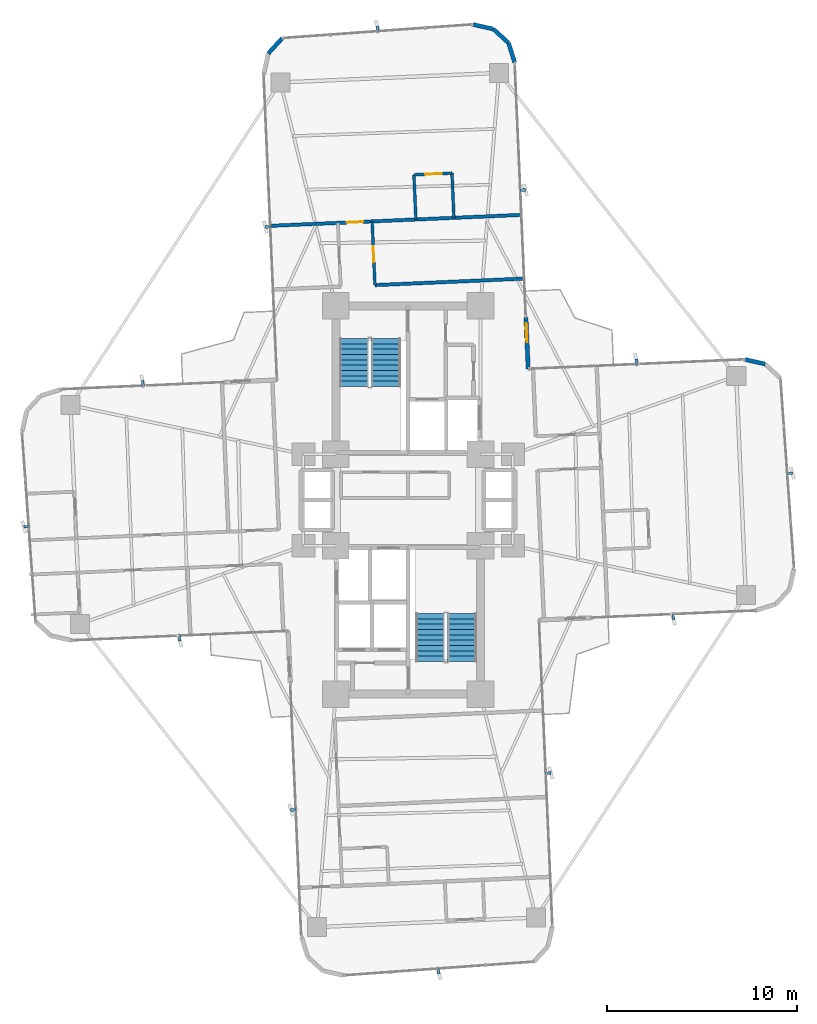
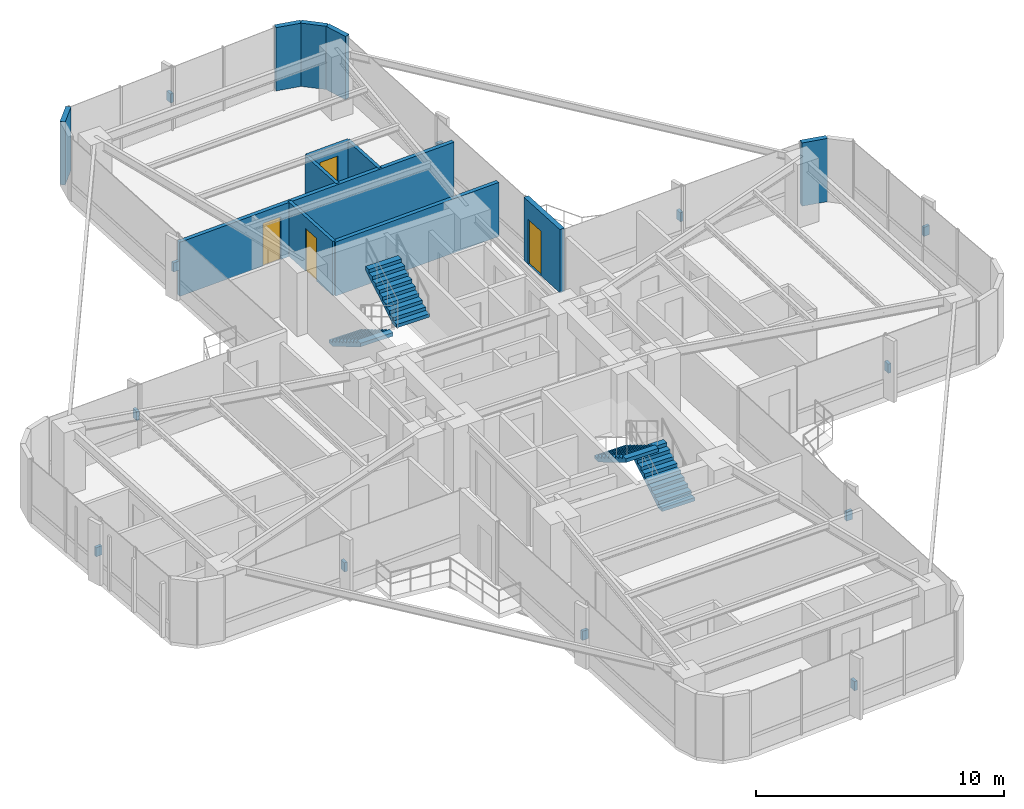
# One storey, part 25 of 26: 12 discrete accessories, 12 walls, 4 doors, 4 stair flights, 4 openings, 2 elements without a shape of their own.
"""IFC4 building model written with IfcOpenShell, lengths in metres."""

from ifc_helpers import new_model, si_unit, direction, frame, frame_2d, origin, origin_2d, place, context, subcontext, project, spatial, polyline, rectangle, outline, extrude, source, transform, mapped, material, layer, layer_set, type_object, element, fill, aggregate, save


model = new_model("IFC4")

# Units and contexts
model_context = context("Model", 3, precision=1e-05, world=origin(), true_north=direction((0.0, 1.0)))
body_context = subcontext(model_context, "Body", "Model", "MODEL_VIEW")
ifc_project = project(units=[si_unit("LENGTHUNIT", "METRE"), si_unit("AREAUNIT", "SQUARE_METRE"), si_unit("VOLUMEUNIT", "CUBIC_METRE"), si_unit("PLANEANGLEUNIT", "RADIAN"), si_unit("MASSUNIT", "GRAM", prefix="KILO")], contexts=[model_context])

# Site, building, storey
site_placement = place(None, origin())
site = spatial("IfcSite", under=ifc_project, at=site_placement, CompositionType="ELEMENT")
building_placement = place(site_placement, origin())
building = spatial("IfcBuilding", under=site, at=building_placement, Name="Sahyath Konkavel Grand Hotel", CompositionType="ELEMENT")
storey_placement = place(building_placement, frame((0.0, 0.0, 86.85009765625)))
storey = spatial("IfcBuildingStorey", under=building, at=storey_placement, Name="L23", CompositionType="ELEMENT", Elevation=86.85009765625)

# Wall
ifc_material_1 = material(Name="Warm Buff Sandstone Insulated Concrete C40/50", Category="masonry")
ifc_layer_1 = layer(ifc_material_1, 0.219970703125)
ifc_layer_set_1 = layer_set([ifc_layer_1], Name="Warm Buff Sandstone Insulated Concrete C40/50")
wall_type_1 = type_object("IfcWallType", Name="WLL-BALC-THRESH", PredefinedType="STANDARD", material=ifc_layer_set_1)
wall_1_placement = place(storey_placement, frame((18.75634765625, 7.1435546875, 0.0), z_axis=(0.0, 0.0, 1.0), x_axis=(-0.976282085775, 0.216502399514, 0.0)))
element("IfcWall", 1, at=wall_1_placement, inside=storey, type_object=wall_type_1, Name="L23 Rounded Corner Sandstone Pier 6", PredefinedType="STANDARD", context=body_context, shape_type="SweptSolid", body=[
    extrude(rectangle(XDim=1.087158203125, YDim=0.219970703125, at=frame_2d((0.54345703125, 0.0))), origin(), (0.0, 0.0, 1.0), 3.10986328125),
])

# Wall, opening, door
wall_2_placement = place(storey_placement, frame((6.305908203125, 6.881591796875, 0.0), z_axis=(0.0, 0.0, 1.0), x_axis=(-0.043672655174, 0.999045894436, 0.0)))
wall_2 = element("IfcWall", 2, at=wall_2_placement, inside=storey, type_object=wall_type_1, Name="L23 Winter-Garden Threshold Wall 8", PredefinedType="STANDARD", context=body_context, shape_type="SweptSolid", body=[
    extrude(rectangle(XDim=2.7001953125, YDim=0.219970703125, at=frame_2d((1.35009765625, 0.0))), origin(), (0.0, 0.0, 1.0), 3.10986328125),
])
opening_1_placement = place(wall_2_placement, frame((1.39990234375, 0.0, 0.0)))
opening_1 = element("IfcOpeningElement", 3, at=opening_1_placement, cuts=wall_2, Name="Opening D-TR1", PredefinedType="OPENING", context=body_context, shape_type="SweptSolid", body=[
    extrude(rectangle(XDim=1.0, YDim=2.199951171875, at=frame_2d((0.5, 1.10009765625))), frame((0.0, 0.1201171875, 0.0), z_axis=(0.0, -1.0, 0.0), x_axis=(1.0, 0.0, 0.0)), (0.0, 0.0, 1.0), 0.239990234375),
])
ifc_material_2 = material(Name="Anodised Bronze Aluminium & Low-E Glazing", Category="aluminium")
door_type_1 = type_object("IfcDoorType", Name="DR-TERRACE-1000", OperationType="NOTDEFINED", PredefinedType="DOOR", material=ifc_material_2)
shared_shape_1 = source(origin(), body_context, "Body", "SweptSolid", [
    extrude(rectangle(XDim=1.0, YDim=0.050048828125, at=origin_2d()), origin(), (0.0, 0.0, 1.0), 2.199951171875),
])
door_1_placement = place(opening_1_placement, frame((0.5, 0.0, 0.0)))
door_1 = element("IfcDoor", 4, at=door_1_placement, inside=storey, type_object=door_type_1, Name="L23 Winter-Garden Terrace Door 8", OperationType="SINGLE_SWING_LEFT", OverallHeight=2.199951171875, OverallWidth=1.0, PredefinedType="DOOR", context=body_context, shape_type="MappedRepresentation", body=[
    mapped(shared_shape_1, transform((0.0, 0.0, 0.0), scale=1.0)),
])
fill(opening_1, door_1)

# Walls
wall_3_placement = place(storey_placement, frame((5.603515625, 22.96630859375, 0.0), z_axis=(0.0, 0.0, 1.0), x_axis=(-0.300755105707, 0.953701403161, 0.0)))
element("IfcWall", 5, at=wall_3_placement, inside=storey, type_object=wall_type_1, Name="L23 Rounded Corner Sandstone Pier 9", PredefinedType="STANDARD", context=body_context, shape_type="SweptSolid", body=[
    extrude(rectangle(XDim=1.0869140625, YDim=0.219970703125, at=frame_2d((0.54345703125, 0.0))), origin(), (0.0, 0.0, 1.0), 3.10986328125),
])
wall_4_placement = place(storey_placement, frame((5.276611328125, 24.0029296875, 0.0), z_axis=(0.0, 0.0, 1.0), x_axis=(-0.737312600672, 0.675551721847, 0.0)))
element("IfcWall", 6, at=wall_4_placement, inside=storey, type_object=wall_type_1, Name="L23 Rounded Corner Sandstone Pier 10", PredefinedType="STANDARD", context=body_context, shape_type="SweptSolid", body=[
    extrude(rectangle(XDim=1.087158203125, YDim=0.219970703125, at=frame_2d((0.54345703125, 0.0))), origin(), (0.0, 0.0, 1.0), 3.10986328125),
])
for number, where, z_axis, x_axis, name in (
    (7, (4.47509765625, 24.7373046875, 0.0), (0.0, 0.0, 1.0), (-0.976271555154, 0.216549880158, 0.0), "L23 Rounded Corner Sandstone Pier 11"),
    (8, (-6.6142578125, 24.253173828125, 0.0), (0.0, 0.0, 1.0), (-0.675663596772, -0.737210081318, 0.0), "L23 Rounded Corner Sandstone Pier 13"),
):
    element("IfcWall", number, at=place(storey_placement, frame(where, z_axis=z_axis, x_axis=x_axis)), inside=storey, type_object=wall_type_1, Name=name, PredefinedType="STANDARD", context=body_context, shape_type="SweptSolid", body=[
        extrude(rectangle(XDim=1.0869140625, YDim=0.219970703125, at=frame_2d((0.54345703125, 0.0))), origin(), (0.0, 0.0, 1.0), 3.10986328125),
    ])
ifc_material_3 = material(Name="Twin-Stud Acoustic Gypsum Plasterboard Partition")
ifc_layer_2 = layer(ifc_material_3, 0.179931640625)
ifc_layer_set_2 = layer_set([ifc_layer_2], Name="Twin-Stud Acoustic Gypsum Plasterboard Partition")
wall_type_2 = type_object("IfcWallType", Name="WLL-DEMISE-180", PredefinedType="PARTITIONING", material=ifc_layer_set_2)
wall_5_placement = place(storey_placement, frame((6.048583984375, 11.625, 0.0), z_axis=(0.0, 0.0, 1.0), x_axis=(-0.999047634936, -0.043632821702, 0.0)))
element("IfcWall", 9, at=wall_5_placement, inside=storey, type_object=wall_type_2, Name="L23 Partition N-INR", PredefinedType="PARTITIONING", context=body_context, shape_type="SweptSolid", body=[
    extrude(rectangle(XDim=7.7998046875, YDim=0.179931640625, at=frame_2d((3.89990234375, 0.0))), origin(), (0.0, 0.0, 1.0), 2.659912109375),
])

# Wall, opening, door
wall_6_placement = place(storey_placement, frame((5.902587890625, 14.9716796875, 0.0), z_axis=(0.0, 0.0, 1.0), x_axis=(-0.999048653727, -0.043609488494, 0.0)))
wall_6 = element("IfcWall", 10, at=wall_6_placement, inside=storey, type_object=wall_type_2, Name="L23 Partition N-NTIP-END", PredefinedType="PARTITIONING", context=body_context, shape_type="SweptSolid", body=[
    extrude(rectangle(XDim=13.10009765625, YDim=0.179931640625, at=frame_2d((6.550048828125, 0.0))), origin(), (0.0, 0.0, 1.0), 2.659912109375),
])
opening_2_placement = place(wall_6_placement, frame((8.27490234375, 0.0, 0.0)))
opening_2 = element("IfcOpeningElement", 11, at=opening_2_placement, cuts=wall_6, Name="Opening D-F06D", PredefinedType="OPENING", context=body_context, shape_type="SweptSolid", body=[
    extrude(rectangle(XDim=0.85009765625, YDim=2.10009765625, at=frame_2d((0.425048828125, 1.050048828125))), frame((0.0, 0.10009765625, 0.0), z_axis=(0.0, -1.0, 0.0), x_axis=(1.0, 0.0, 0.0)), (0.0, 0.0, 1.0), 0.199951171875),
])
ifc_material_4 = material(Name="Fire-Rated Shaft Access Door")
door_type_2 = type_object("IfcDoorType", Name="DR-FD60-850", OperationType="NOTDEFINED", PredefinedType="DOOR", material=ifc_material_4)
shared_shape_2 = source(origin(), body_context, "Body", "SweptSolid", [
    extrude(rectangle(XDim=0.85009765625, YDim=0.050048828125, at=origin_2d()), origin(), (0.0, 0.0, 1.0), 2.10009765625),
])
door_2_placement = place(opening_2_placement, frame((0.425048828125, 0.0, 0.0)))
door_2 = element("IfcDoor", 12, at=door_2_placement, inside=storey, type_object=door_type_2, Name="L23 Door N-NTIP-ED", OperationType="SINGLE_SWING_RIGHT", OverallHeight=2.10009765625, OverallWidth=0.85009765625, PredefinedType="DOOR", context=body_context, shape_type="MappedRepresentation", body=[
    mapped(shared_shape_2, transform((0.0, 0.0, 0.0), scale=1.0)),
])
fill(opening_2, door_2)

ifc_material_5 = material(Name="Fire-Rated Gypsum Plasterboard Partition")
ifc_layer_3 = layer(ifc_material_5, 0.14990234375)
ifc_layer_set_3 = layer_set([ifc_layer_3], Name="Fire-Rated Gypsum Plasterboard Partition")
wall_type_3 = type_object("IfcWallType", Name="WLL-PART-150", PredefinedType="PARTITIONING", material=ifc_layer_set_3)
wall_7_placement = place(storey_placement, frame((-1.743896484375, 11.28466796875, 0.0), z_axis=(0.0, 0.0, 1.0), x_axis=(-0.043579537274, 0.999049960678, 0.0)))
wall_7 = element("IfcWall", 13, at=wall_7_placement, inside=storey, type_object=wall_type_3, Name="L23 Partition N-CR", PredefinedType="PARTITIONING", context=body_context, shape_type="SweptSolid", body=[
    extrude(rectangle(XDim=3.35009765625, YDim=0.14990234375, at=frame_2d((1.675048828125, 0.0))), origin(), (0.0, 0.0, 1.0), 2.659912109375),
])
opening_3_placement = place(wall_7_placement, frame((1.199951171875, 0.0, 0.0)))
opening_3 = element("IfcOpeningElement", 14, at=opening_3_placement, cuts=wall_7, Name="Opening D-F06D", PredefinedType="OPENING", context=body_context, shape_type="SweptSolid", body=[
    extrude(rectangle(XDim=0.85009765625, YDim=2.10009765625, at=frame_2d((0.425048828125, 1.050048828125))), frame((0.0, 0.0849609375, 0.0), z_axis=(0.0, -1.0, 0.0), x_axis=(1.0, 0.0, 0.0)), (0.0, 0.0, 1.0), 0.169921875),
])
door_3_placement = place(opening_3_placement, frame((0.425048828125, 0.0, 0.0)))
door_3 = element("IfcDoor", 15, at=door_3_placement, inside=storey, type_object=door_type_2, Name="L23 Door N-NS3R-D", OperationType="SINGLE_SWING_RIGHT", OverallHeight=2.10009765625, OverallWidth=0.85009765625, PredefinedType="DOOR", context=body_context, shape_type="MappedRepresentation", body=[
    mapped(shared_shape_2, transform((0.0, 0.0, 0.0), scale=1.0)),
])
fill(opening_3, door_3)

# Walls
wall_8_placement = place(storey_placement, frame((0.40771484375, 14.731689453125, 0.0), z_axis=(0.0, 0.0, 1.0), x_axis=(-0.043527387554, 0.999052234136, 0.0)))
element("IfcWall", 16, at=wall_8_placement, inside=storey, type_object=wall_type_3, Name="L23 Partition N-NTIP-BN", PredefinedType="PARTITIONING", context=body_context, shape_type="SweptSolid", body=[
    extrude(rectangle(XDim=2.35009765625, YDim=0.14990234375, at=frame_2d((1.175048828125, 0.0))), origin(), (0.0, 0.0, 1.0), 2.659912109375),
])
wall_9_placement = place(storey_placement, frame((2.406005859375, 14.819091796875, 0.0), z_axis=(0.0, 0.0, 1.0), x_axis=(-0.04363560271, 0.999047513473, 0.0)))
element("IfcWall", 17, at=wall_9_placement, inside=storey, type_object=wall_type_3, Name="L23 Partition N-NTIP-BS", PredefinedType="PARTITIONING", context=body_context, shape_type="SweptSolid", body=[
    extrude(rectangle(XDim=2.349853515625, YDim=0.14990234375, at=frame_2d((1.1748046875, 0.0))), origin(), (0.0, 0.0, 1.0), 2.659912109375),
])

# Wall, opening, door
wall_10_placement = place(storey_placement, frame((2.303466796875, 17.166748046875, 0.0), z_axis=(0.0, 0.0, 1.0), x_axis=(-0.999049929275, -0.043580257179, 0.0)))
wall_10 = element("IfcWall", 18, at=wall_10_placement, inside=storey, type_object=wall_type_3, Name="L23 Partition N-NTIP-BE", PredefinedType="PARTITIONING", context=body_context, shape_type="SweptSolid", body=[
    extrude(rectangle(XDim=2.0, YDim=0.14990234375, at=frame_2d((1.0, 0.0))), origin(), (0.0, 0.0, 1.0), 2.659912109375),
])
opening_4_placement = place(wall_10_placement, frame((0.550048828125, 0.0, 0.0)))
opening_4 = element("IfcOpeningElement", 19, at=opening_4_placement, cuts=wall_10, Name="Opening D-BT85", PredefinedType="OPENING", context=body_context, shape_type="SweptSolid", body=[
    extrude(rectangle(XDim=0.85009765625, YDim=2.10009765625, at=frame_2d((0.425048828125, 1.050048828125))), frame((0.0, 0.0849609375, 0.0), z_axis=(0.0, -1.0, 0.0), x_axis=(1.0, 0.0, 0.0)), (0.0, 0.0, 1.0), 0.169921875),
])
ifc_material_6 = material(Name="Moisture-Resistant Teak Bathroom Door")
door_type_3 = type_object("IfcDoorType", Name="DR-BATH-850", OperationType="NOTDEFINED", PredefinedType="DOOR", material=ifc_material_6)
door_4_placement = place(opening_4_placement, frame((0.425048828125, 0.0, 0.0)))
door_4 = element("IfcDoor", 20, at=door_4_placement, inside=storey, type_object=door_type_3, Name="L23 Door N-NTIP-BD", OperationType="SINGLE_SWING_LEFT", OverallHeight=2.10009765625, OverallWidth=0.85009765625, PredefinedType="DOOR", context=body_context, shape_type="MappedRepresentation", body=[
    mapped(shared_shape_2, transform((0.0, 0.0, 0.0), scale=1.0)),
])
fill(opening_4, door_4)

# Stair, stair flights
ifc_material_7 = material(Name="Concrete C40/50", Category="concrete")
stair_type = type_object("IfcStairType", Name="STR-ST16-335", PredefinedType="HALF_TURN_STAIR", material=ifc_material_7)
stair_1_placement = place(storey_placement, origin())
stair_1 = element("IfcStair", 21, at=stair_1_placement, inside=storey, type_object=stair_type, Name="L23 North Core Smokeproof Exit Stair ST-1", PredefinedType="HALF_TURN_STAIR")
stair_flight_type = type_object("IfcStairFlightType", Name="STF-ST16-335", PredefinedType="STRAIGHT", material=ifc_material_7)
stair_flight_1_placement = place(storey_placement, frame((-2.840087890625, 8.47998046875, 0.0), z_axis=(0.0, 0.0, 1.0), x_axis=(0.0, -1.0, 0.0)))
stair_flight_1 = element("IfcStairFlight", 22, at=stair_flight_1_placement, type_object=stair_flight_type, Name="ST-1 flight 1", NumberOfRisers=10, NumberOfTreads=9, PredefinedType="STRAIGHT", RiserHeight=0.1675, TreadLength=0.28, context=body_context, shape_type="SweptSolid", body=[
    extrude(outline(polyline([(0.0, 0.0), (0.0, 0.16748046875), (0.280029296875, 0.16748046875), (0.280029296875, 0.3349609375), (0.56005859375, 0.3349609375), (0.56005859375, 0.50244140625), (0.840087890625, 0.50244140625), (0.840087890625, 0.669921875), (1.1201171875, 0.669921875), (1.1201171875, 0.83740234375), (1.39990234375, 0.83740234375), (1.39990234375, 1.0048828125), (1.679931640625, 1.0048828125), (1.679931640625, 1.172607421875), (1.9599609375, 1.172607421875), (1.9599609375, 1.340087890625), (2.239990234375, 1.340087890625), (2.239990234375, 1.507568359375), (2.52001953125, 1.507568359375), (2.52001953125, 1.675048828125), (2.52001953125, 1.332763671875), (0.2919921875, 0.0), (0.0, 0.0)])), frame((0.0, 0.760009765625, 0.0), z_axis=(0.0, -1.0, 0.0), x_axis=(1.0, 0.0, 0.0)), (0.0, 0.0, 1.0), 1.52001953125),
])
stair_flight_2_placement = place(storey_placement, frame((-1.159912109375, 5.9599609375, 1.6748046875), z_axis=(0.0, 0.0, 1.0), x_axis=(0.0, 1.0, 0.0)))
stair_flight_2 = element("IfcStairFlight", 23, at=stair_flight_2_placement, type_object=stair_flight_type, Name="ST-1 flight 2", NumberOfRisers=10, NumberOfTreads=9, PredefinedType="STRAIGHT", RiserHeight=0.1675, TreadLength=0.28, context=body_context, shape_type="SweptSolid", body=[
    extrude(outline(polyline([(0.0, 0.0), (0.0, 0.16748046875), (0.280029296875, 0.16748046875), (0.280029296875, 0.3349609375), (0.56005859375, 0.3349609375), (0.56005859375, 0.50244140625), (0.840087890625, 0.50244140625), (0.840087890625, 0.669921875), (1.1201171875, 0.669921875), (1.1201171875, 0.83740234375), (1.39990234375, 0.83740234375), (1.39990234375, 1.0048828125), (1.679931640625, 1.0048828125), (1.679931640625, 1.172607421875), (1.9599609375, 1.172607421875), (1.9599609375, 1.340087890625), (2.239990234375, 1.340087890625), (2.239990234375, 1.507568359375), (2.52001953125, 1.507568359375), (2.52001953125, 1.675048828125), (2.52001953125, 1.332763671875), (0.2919921875, 0.0), (0.0, 0.0)])), frame((0.0, 0.760009765625, 0.0), z_axis=(0.0, -1.0, 0.0), x_axis=(1.0, 0.0, 0.0)), (0.0, 0.0, 1.0), 1.52001953125),
])
aggregate(stair_1, [stair_flight_1, stair_flight_2])

stair_2_placement = place(storey_placement, origin())
stair_2 = element("IfcStair", 24, at=stair_2_placement, inside=storey, type_object=stair_type, Name="L23 South Core Smokeproof Exit Stair ST-2", PredefinedType="HALF_TURN_STAIR")
stair_flight_3_placement = place(storey_placement, frame((2.840087890625, -8.47998046875, 0.0), z_axis=(0.0, 0.0, 1.0), x_axis=(0.0, 1.0, 0.0)))
stair_flight_3 = element("IfcStairFlight", 25, at=stair_flight_3_placement, type_object=stair_flight_type, Name="ST-2 flight 1", NumberOfRisers=10, NumberOfTreads=9, PredefinedType="STRAIGHT", RiserHeight=0.1675, TreadLength=0.28, context=body_context, shape_type="SweptSolid", body=[
    extrude(outline(polyline([(0.0, 0.0), (0.0, 0.16748046875), (0.280029296875, 0.16748046875), (0.280029296875, 0.3349609375), (0.56005859375, 0.3349609375), (0.56005859375, 0.50244140625), (0.840087890625, 0.50244140625), (0.840087890625, 0.669921875), (1.1201171875, 0.669921875), (1.1201171875, 0.83740234375), (1.39990234375, 0.83740234375), (1.39990234375, 1.0048828125), (1.679931640625, 1.0048828125), (1.679931640625, 1.172607421875), (1.9599609375, 1.172607421875), (1.9599609375, 1.340087890625), (2.239990234375, 1.340087890625), (2.239990234375, 1.507568359375), (2.52001953125, 1.507568359375), (2.52001953125, 1.675048828125), (2.52001953125, 1.332763671875), (0.2919921875, 0.0), (0.0, 0.0)])), frame((0.0, 0.760009765625, 0.0), z_axis=(0.0, -1.0, 0.0), x_axis=(1.0, 0.0, 0.0)), (0.0, 0.0, 1.0), 1.52001953125),
])
stair_flight_4_placement = place(storey_placement, frame((1.159912109375, -5.9599609375, 1.6748046875), z_axis=(0.0, 0.0, 1.0), x_axis=(0.0, -1.0, 0.0)))
stair_flight_4 = element("IfcStairFlight", 26, at=stair_flight_4_placement, type_object=stair_flight_type, Name="ST-2 flight 2", NumberOfRisers=10, NumberOfTreads=9, PredefinedType="STRAIGHT", RiserHeight=0.1675, TreadLength=0.28, context=body_context, shape_type="SweptSolid", body=[
    extrude(outline(polyline([(0.0, 0.0), (0.0, 0.16748046875), (0.280029296875, 0.16748046875), (0.280029296875, 0.3349609375), (0.56005859375, 0.3349609375), (0.56005859375, 0.50244140625), (0.840087890625, 0.50244140625), (0.840087890625, 0.669921875), (1.1201171875, 0.669921875), (1.1201171875, 0.83740234375), (1.39990234375, 0.83740234375), (1.39990234375, 1.0048828125), (1.679931640625, 1.0048828125), (1.679931640625, 1.172607421875), (1.9599609375, 1.172607421875), (1.9599609375, 1.340087890625), (2.239990234375, 1.340087890625), (2.239990234375, 1.507568359375), (2.52001953125, 1.507568359375), (2.52001953125, 1.675048828125), (2.52001953125, 1.332763671875), (0.2919921875, 0.0), (0.0, 0.0)])), frame((0.0, 0.760009765625, 0.0), z_axis=(0.0, -1.0, 0.0), x_axis=(1.0, 0.0, 0.0)), (0.0, 0.0, 1.0), 1.52001953125),
])
aggregate(stair_2, [stair_flight_3, stair_flight_4])

# Discrete accessories
ifc_material_8 = material(Name="Steel E350", Category="steel")
discrete_accessory_type = type_object("IfcDiscreteAccessoryType", Name="ACC-FIN-BRACKET", PredefinedType="BRACKET", material=ifc_material_8)
shared_shape_3 = source(origin(), body_context, "Body", "SweptSolid", [
    extrude(rectangle(XDim=0.280029296875, YDim=0.139892578125, at=origin_2d()), origin(), (0.0, 0.0, 1.0), 0.449951171875),
])
for number, where, z_axis, x_axis, name in (
    (27, (13.9306640625, -6.128173828125, 1.330078125), (0.0, 0.0, 1.0), (0.043601950678, -0.999048982732, 0.0), "L23 Fin Support Bracket F0-1"),
    (28, (20.047119140625, 1.404296875, 1.330078125), (0.0, 0.0, 1.0), (0.997435789037, 0.071567078661, 0.0), "L23 Fin Support Bracket F4-2"),
    (29, (11.99462890625, 7.26025390625, 1.330078125), (0.0, 0.0, 1.0), (-0.043619387365, 0.999048221582, 0.0), "L23 Fin Support Bracket F7-1"),
    (30, (6.025634765625, 16.2783203125, 1.330078125), (0.0, 0.0, 1.0), (0.999048221582, 0.043619387365, 0.0), "L23 Fin Support Bracket F8-1"),
    (31, (-1.609375, 24.74267578125, 1.330078125), (0.0, 0.0, 1.0), (-0.071567078661, 0.997435789037, 0.0), "L23 Fin Support Bracket F12-2"),
    (32, (-7.362548828125, 14.342529296875, 1.330078125), (0.0, 0.0, 1.0), (-0.999048221582, -0.043619387365, 0.0), "L23 Fin Support Bracket F15-1"),
    (33, (-13.9306640625, 6.128173828125, 1.330078125), (0.0, 0.0, 1.0), (-0.043601950678, 0.999048982732, 0.0), "L23 Fin Support Bracket F16-1"),
    (34, (-20.047119140625, -1.404296875, 1.330078125), (0.0, 0.0, 1.0), (-0.997435789037, -0.071567078661, 0.0), "L23 Fin Support Bracket F20-2"),
    (35, (-11.99462890625, -7.26025390625, 1.330078125), (0.0, 0.0, 1.0), (0.043619387365, -0.999048221582, 0.0), "L23 Fin Support Bracket F23-1"),
    (36, (-6.025634765625, -16.2783203125, 1.330078125), (0.0, 0.0, 1.0), (-0.999048221582, -0.043619387365, 0.0), "L23 Fin Support Bracket F24-1"),
    (37, (1.609375, -24.74267578125, 1.330078125), (0.0, 0.0, 1.0), (0.071567078661, -0.997435789037, 0.0), "L23 Fin Support Bracket F28-2"),
    (38, (7.362548828125, -14.342529296875, 1.330078125), (0.0, 0.0, 1.0), (0.999048221582, 0.043619387365, 0.0), "L23 Fin Support Bracket F31-1"),
):
    element("IfcDiscreteAccessory", number, at=place(storey_placement, frame(where, z_axis=z_axis, x_axis=x_axis)), inside=storey, type_object=discrete_accessory_type, Name=name, PredefinedType="BRACKET", context=body_context, shape_type="MappedRepresentation", body=[
        mapped(shared_shape_3, transform((0.0, 0.0, 0.0), scale=1.0)),
    ])

save(model, "model.ifc")
